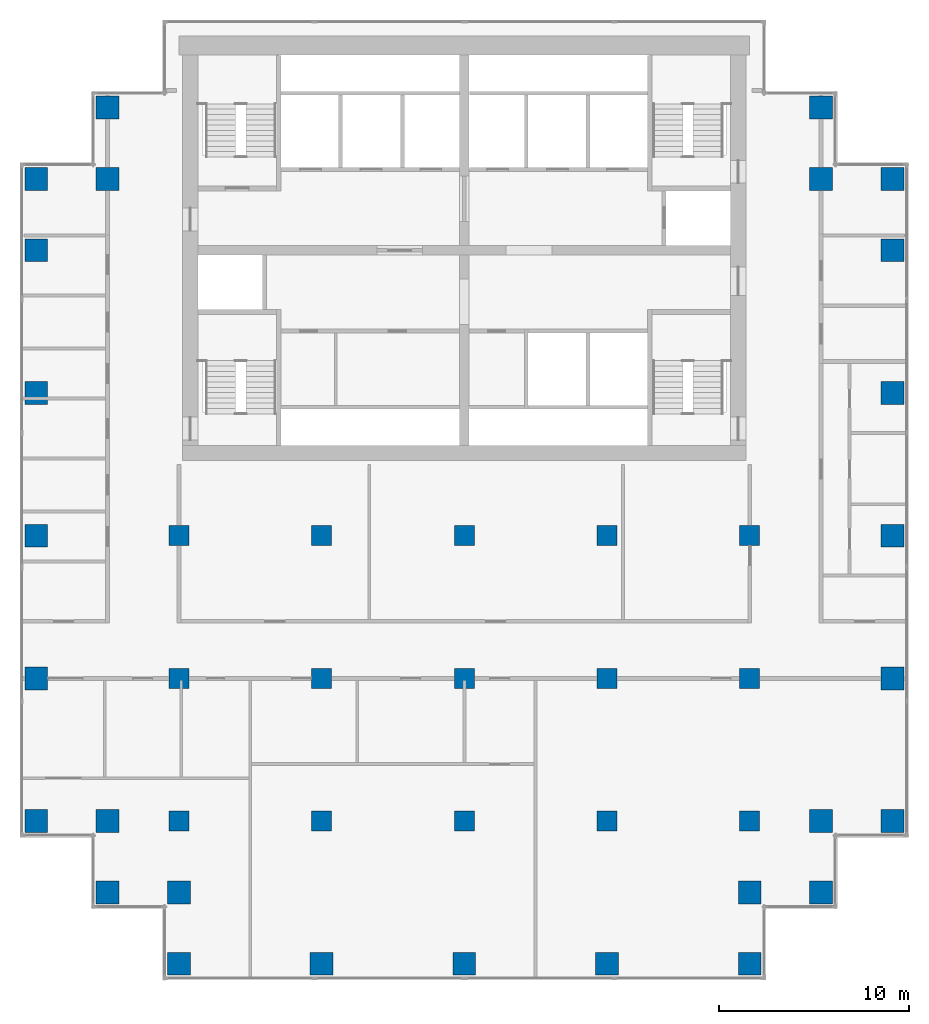
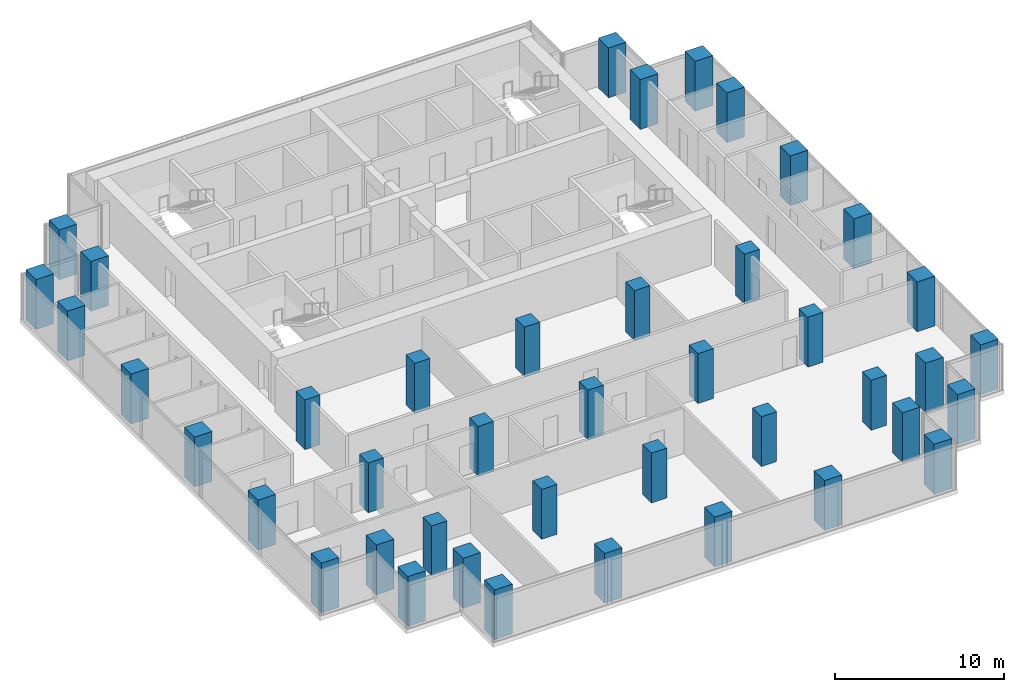
# One storey, part 1 of 10: 42 columns.
"""IFC4 building model written with IfcOpenShell, lengths in metres."""

from ifc_helpers import new_model, si_unit, direction, frame, origin, origin_2d, place, context, subcontext, project, spatial, rectangle, extrude, material, material_profile, profile_set, type_object, element, save


model = new_model("IFC4")

# Units and contexts
model_context = context("Model", 3, precision=1e-05, world=origin(), true_north=direction((0.0, 1.0)))
body_context = subcontext(model_context, "Body", "Model", "MODEL_VIEW")
ifc_project = project(units=[si_unit("LENGTHUNIT", "METRE"), si_unit("AREAUNIT", "SQUARE_METRE"), si_unit("VOLUMEUNIT", "CUBIC_METRE"), si_unit("PLANEANGLEUNIT", "RADIAN"), si_unit("MASSUNIT", "GRAM", prefix="KILO")], contexts=[model_context])

# Site, building, storey
site_placement = place(None, origin())
site = spatial("IfcSite", under=ifc_project, at=site_placement, CompositionType="ELEMENT")
building_placement = place(site_placement, origin())
building = spatial("IfcBuilding", under=site, at=building_placement, Name="Pilkhan Gate Tower", CompositionType="ELEMENT")
storey_placement = place(building_placement, frame((0.0, 0.0, 147.699951171875)))
storey = spatial("IfcBuildingStorey", under=building, at=storey_placement, Name="L37", CompositionType="ELEMENT", Elevation=147.699951171875)

# Columns
ifc_material = material(Name="Concrete C60/75", Category="concrete")
ifc_material_profile_1 = material_profile(ifc_material, rectangle(XDim=1.050048828125, YDim=1.050048828125, at=origin_2d()), Name="RC 1050x1050")
ifc_profile_set_1 = profile_set([ifc_material_profile_1], Name="Concrete C60/75")
column_type_1 = type_object("IfcColumnType", Name="Column C105 RC 1050x1050 C60/75", PredefinedType="COLUMN", material=ifc_profile_set_1)
for number, where, z_axis, x_axis, name in (
    (1, (60.0, 52.5, 0.0), (0.0, 0.0, 1.0), (1.0, 0.0, 0.0), "Column 7/D L37"),
    (2, (60.0, 60.0, 0.0), (0.0, 0.0, 1.0), (1.0, 0.0, 0.0), "Column 7/F L37"),
    (3, (60.0, 67.5, 0.0), (0.0, 0.0, 1.0), (1.0, 0.0, 0.0), "Column 7/H L37"),
    (4, (67.5, 52.5, 0.0), (0.0, 0.0, 1.0), (1.0, 0.0, 0.0), "Column 9/D L37"),
    (5, (67.5, 60.0, 0.0), (0.0, 0.0, 1.0), (1.0, 0.0, 0.0), "Column 9/F L37"),
    (6, (67.5, 67.5, 0.0), (0.0, 0.0, 1.0), (1.0, 0.0, 0.0), "Column 9/H L37"),
    (7, (75.0, 52.5, 0.0), (0.0, 0.0, 1.0), (1.0, 0.0, 0.0), "Column 11/D L37"),
    (8, (75.0, 60.0, 0.0), (0.0, 0.0, 1.0), (1.0, 0.0, 0.0), "Column 11/F L37"),
    (9, (75.0, 67.5, 0.0), (0.0, 0.0, 1.0), (1.0, 0.0, 0.0), "Column 11/H L37"),
    (10, (82.5, 52.5, 0.0), (0.0, 0.0, 1.0), (1.0, 0.0, 0.0), "Column 13/D L37"),
    (11, (82.5, 60.0, 0.0), (0.0, 0.0, 1.0), (1.0, 0.0, 0.0), "Column 13/F L37"),
    (12, (82.5, 67.5, 0.0), (0.0, 0.0, 1.0), (1.0, 0.0, 0.0), "Column 13/H L37"),
    (13, (90.0, 52.5, 0.0), (0.0, 0.0, 1.0), (1.0, 0.0, 0.0), "Column 15/D L37"),
    (14, (90.0, 60.0, 0.0), (0.0, 0.0, 1.0), (1.0, 0.0, 0.0), "Column 15/F L37"),
    (15, (90.0, 67.5, 0.0), (0.0, 0.0, 1.0), (1.0, 0.0, 0.0), "Column 15/H L37"),
):
    element("IfcColumn", number, at=place(storey_placement, frame(where, z_axis=z_axis, x_axis=x_axis)), inside=storey, type_object=column_type_1, Name=name, PredefinedType="COLUMN", context=body_context, shape_type="SweptSolid", body=[
        extrude(rectangle(XDim=1.050048828125, YDim=1.050048828125, at=origin_2d()), origin(), (0.0, 0.0, 1.0), 3.60009765625),
    ])
ifc_material_profile_2 = material_profile(ifc_material, rectangle(XDim=1.199951171875, YDim=1.199951171875, at=origin_2d()), Name="RC 1200x1200")
ifc_profile_set_2 = profile_set([ifc_material_profile_2], Name="Concrete C60/75")
column_type_2 = type_object("IfcColumnType", Name="Column C120 RC 1200x1200 C60/75", PredefinedType="COLUMN", material=ifc_profile_set_2)
for number, where, z_axis, x_axis, name in (
    (16, (52.5, 52.5, 0.0), (0.0, 0.0, 1.0), (1.0, 0.0, 0.0), "Column 5/D L37"),
    (17, (52.5, 60.0, 0.0), (0.0, 0.0, 1.0), (1.0, 0.0, 0.0), "Column 5/F L37"),
    (18, (52.5, 67.5, 0.0), (0.0, 0.0, 1.0), (1.0, 0.0, 0.0), "Column 5/H L37"),
    (19, (52.5, 75.0, 0.0), (0.0, 0.0, 1.0), (1.0, 0.0, 0.0), "Column 5/K L37"),
    (20, (52.5, 82.5, 0.0), (0.0, 0.0, 1.0), (1.0, 0.0, 0.0), "Column 5/M L37"),
    (21, (52.5, 86.25, 0.0), (0.0, 0.0, 1.0), (1.0, 0.0, 0.0), "Column 5/N L37"),
    (22, (56.25, 48.75, 0.0), (0.0, 0.0, 1.0), (1.0, 0.0, 0.0), "Column 6/C L37"),
    (23, (56.25, 52.5, 0.0), (0.0, 0.0, 1.0), (1.0, 0.0, 0.0), "Column 6/D L37"),
    (24, (56.25, 86.25, 0.0), (0.0, 0.0, 1.0), (1.0, 0.0, 0.0), "Column 6/N L37"),
    (25, (56.25, 90.0, 0.0), (0.0, 0.0, 1.0), (1.0, 0.0, 0.0), "Column 6/P L37"),
    (26, (60.0, 45.0, 0.0), (0.0, 0.0, 1.0), (1.0, 0.0, 0.0), "Column 7/B L37"),
    (27, (60.0, 48.75, 0.0), (0.0, 0.0, 1.0), (1.0, 0.0, 0.0), "Column 7/C L37"),
    (28, (67.5, 45.0, 0.0), (0.0, 0.0, 1.0), (1.0, 0.0, 0.0), "Column 9/B L37"),
    (29, (75.0, 45.0, 0.0), (0.0, 0.0, 1.0), (1.0, 0.0, 0.0), "Column 11/B L37"),
    (30, (82.5, 45.0, 0.0), (0.0, 0.0, 1.0), (1.0, 0.0, 0.0), "Column 13/B L37"),
    (31, (90.0, 45.0, 0.0), (0.0, 0.0, 1.0), (1.0, 0.0, 0.0), "Column 15/B L37"),
    (32, (90.0, 48.75, 0.0), (0.0, 0.0, 1.0), (1.0, 0.0, 0.0), "Column 15/C L37"),
    (33, (93.75, 48.75, 0.0), (0.0, 0.0, 1.0), (1.0, 0.0, 0.0), "Column 16/C L37"),
    (34, (93.75, 52.5, 0.0), (0.0, 0.0, 1.0), (1.0, 0.0, 0.0), "Column 16/D L37"),
    (35, (93.75, 86.25, 0.0), (0.0, 0.0, 1.0), (1.0, 0.0, 0.0), "Column 16/N L37"),
    (36, (93.75, 90.0, 0.0), (0.0, 0.0, 1.0), (1.0, 0.0, 0.0), "Column 16/P L37"),
    (37, (97.5, 52.5, 0.0), (0.0, 0.0, 1.0), (1.0, 0.0, 0.0), "Column 17/D L37"),
    (38, (97.5, 60.0, 0.0), (0.0, 0.0, 1.0), (1.0, 0.0, 0.0), "Column 17/F L37"),
    (39, (97.5, 67.5, 0.0), (0.0, 0.0, 1.0), (1.0, 0.0, 0.0), "Column 17/H L37"),
    (40, (97.5, 75.0, 0.0), (0.0, 0.0, 1.0), (1.0, 0.0, 0.0), "Column 17/K L37"),
    (41, (97.5, 82.5, 0.0), (0.0, 0.0, 1.0), (1.0, 0.0, 0.0), "Column 17/M L37"),
    (42, (97.5, 86.25, 0.0), (0.0, 0.0, 1.0), (1.0, 0.0, 0.0), "Column 17/N L37"),
):
    element("IfcColumn", number, at=place(storey_placement, frame(where, z_axis=z_axis, x_axis=x_axis)), inside=storey, type_object=column_type_2, Name=name, PredefinedType="COLUMN", context=body_context, shape_type="SweptSolid", body=[
        extrude(rectangle(XDim=1.199951171875, YDim=1.199951171875, at=origin_2d()), origin(), (0.0, 0.0, 1.0), 3.60009765625),
    ])

save(model, "model.ifc")
